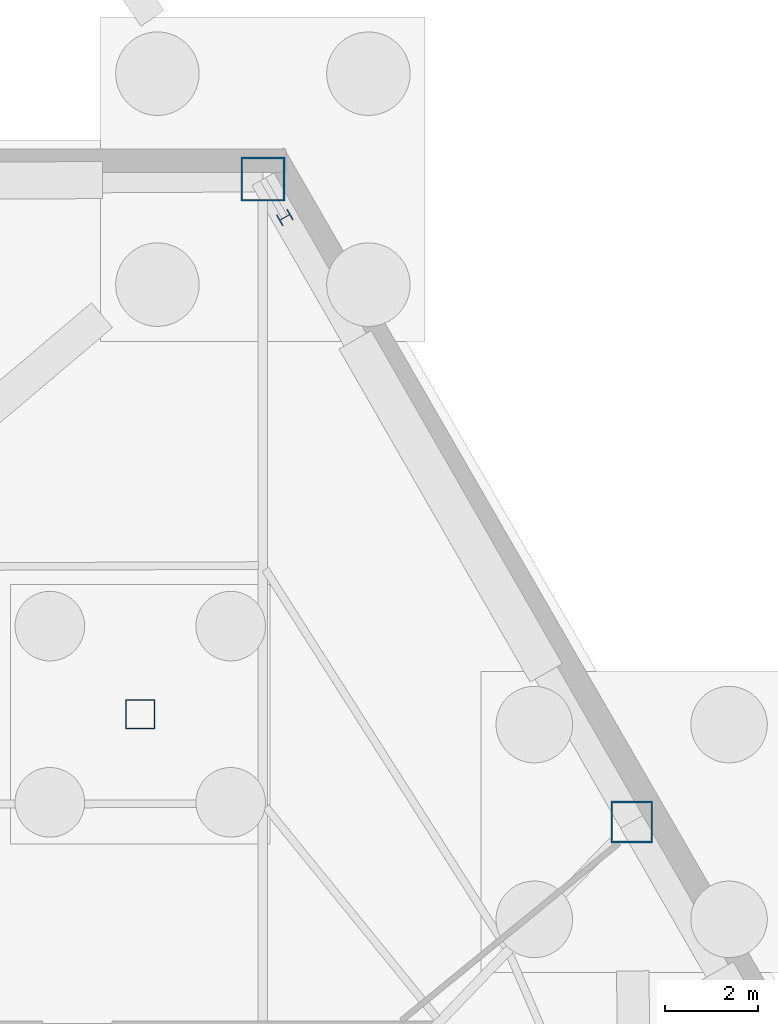
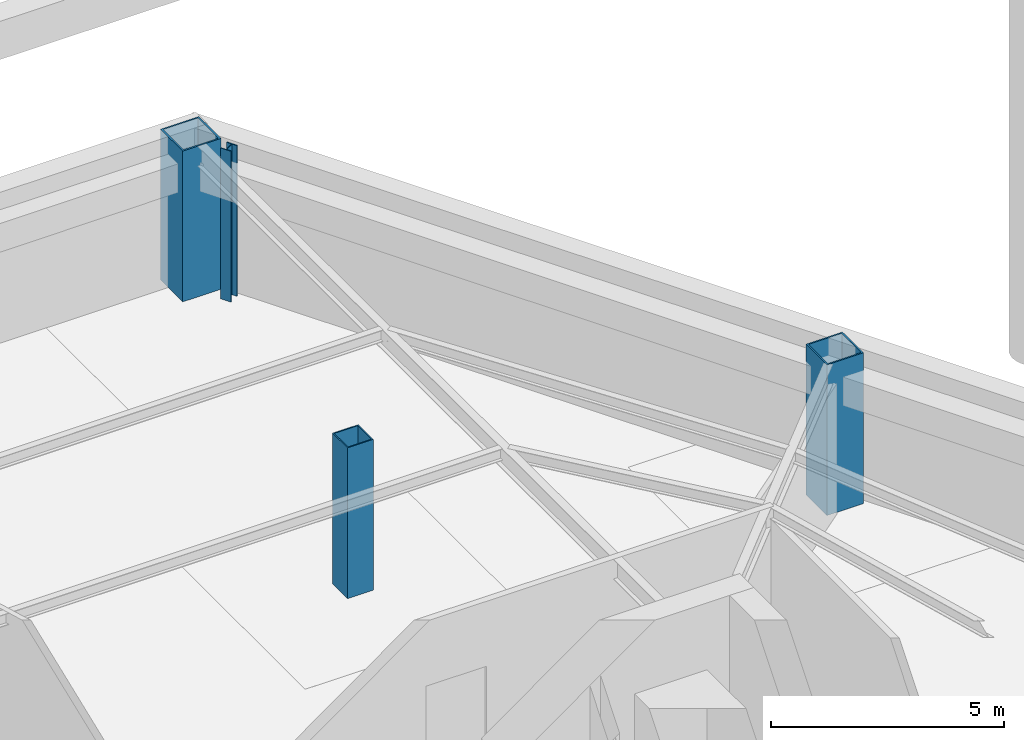
# One storey, part 6 of 11: 4 columns.
"""IFC4 building model written with IfcOpenShell, lengths in metres."""

from ifc_helpers import new_model, si_unit, direction, frame, origin, origin_2d, place, context, subcontext, project, spatial, hollow_rectangle, i_section, extrude, material, material_profile, profile_set, type_object, element, save


model = new_model("IFC4")

# Units and contexts
model_context = context("Model", 3, precision=1e-05, world=origin(), true_north=direction((0.0, 1.0)))
body_context = subcontext(model_context, "Body", "Model", "MODEL_VIEW")
ifc_project = project(units=[si_unit("LENGTHUNIT", "METRE"), si_unit("AREAUNIT", "SQUARE_METRE"), si_unit("VOLUMEUNIT", "CUBIC_METRE"), si_unit("PLANEANGLEUNIT", "RADIAN"), si_unit("MASSUNIT", "GRAM", prefix="KILO")], contexts=[model_context])

# Site, building, storey
site_placement = place(None, origin())
site = spatial("IfcSite", under=ifc_project, at=site_placement, CompositionType="ELEMENT")
building_placement = place(site_placement, origin())
building = spatial("IfcBuilding", under=site, at=building_placement, Name="Kavelnor Concourse Tower", CompositionType="ELEMENT")
storey_placement = place(building_placement, frame((0.0, 0.0, -8.39990234375)))
storey = spatial("IfcBuildingStorey", under=building, at=storey_placement, Name="B02", CompositionType="ELEMENT", Elevation=-8.39990234375)

# Columns
ifc_material = material(Name="Steel Grade 350", Category="steel")
ifc_material_profile_1 = material_profile(ifc_material, hollow_rectangle(XDim=0.89990234375, YDim=0.89990234375, WallThickness=0.0380859375, at=origin_2d()), Name="SHS 900x900x38")
ifc_profile_set_1 = profile_set([ifc_material_profile_1], Name="Steel Grade 350")
column_type_1 = type_object("IfcColumnType", Name="COL-MEGA-900", PredefinedType="COLUMN", material=ifc_profile_set_1)
column_1_placement = place(storey_placement, frame((54.097900390625, 29.475830078125, 0.0), z_axis=(0.0, 0.0, 1.0), x_axis=(1.0, 0.0, 0.0)))
element("IfcColumn", 1, at=column_1_placement, inside=storey, type_object=column_type_1, Name="B02 Perimeter Mega Column MC-F2", PredefinedType="COLUMN", context=body_context, shape_type="SweptSolid", body=[
    extrude(hollow_rectangle(XDim=0.89990234375, YDim=0.89990234375, WallThickness=0.0380859375, at=origin_2d()), origin(), (0.0, 0.0, 1.0), 3.949951171875),
])
ifc_material_profile_2 = material_profile(ifc_material, hollow_rectangle(XDim=0.949951171875, YDim=0.949951171875, WallThickness=0.0400390625, at=origin_2d()), Name="SHS 950x950x40")
ifc_profile_set_2 = profile_set([ifc_material_profile_2], Name="Steel Grade 350")
column_type_2 = type_object("IfcColumnType", Name="COL-MEGA-950", PredefinedType="COLUMN", material=ifc_profile_set_2)
column_2_placement = place(storey_placement, frame((46.144775390625, 43.338623046875, 0.0), z_axis=(0.0, 0.0, 1.0), x_axis=(1.0, 0.0, 0.0)))
element("IfcColumn", 2, at=column_2_placement, inside=storey, type_object=column_type_2, Name="B02 Perimeter Mega Column MC-V0", PredefinedType="COLUMN", context=body_context, shape_type="SweptSolid", body=[
    extrude(hollow_rectangle(XDim=0.949951171875, YDim=0.949951171875, WallThickness=0.0400390625, at=origin_2d()), origin(), (0.0, 0.0, 1.0), 3.949951171875),
])
ifc_material_profile_3 = material_profile(ifc_material, i_section(OverallWidth=0.260986328125, OverallDepth=0.27587890625, WebThickness=0.015380859375, FlangeThickness=0.025390625, at=origin_2d()), Name="UC 254x254x132")
ifc_profile_set_3 = profile_set([ifc_material_profile_3], Name="Steel Grade 350")
column_type_3 = type_object("IfcColumnType", Name="COL-PILASTER-250", PredefinedType="PILASTER", material=ifc_profile_set_3)
column_3_placement = place(storey_placement, frame((46.617431640625, 42.5146484375, 0.0), z_axis=(0.0, 0.0, 1.0), x_axis=(-0.497579654441, 0.867418288651, 0.0)))
element("IfcColumn", 3, at=column_3_placement, inside=storey, type_object=column_type_3, Name="B02 Brick Pier Stiffener Pilaster F2-B", PredefinedType="PILASTER", context=body_context, shape_type="SweptSolid", body=[
    extrude(i_section(OverallWidth=0.260986328125, OverallDepth=0.27587890625, WebThickness=0.015380859375, FlangeThickness=0.025390625, at=origin_2d()), origin(), (0.0, 0.0, 1.0), 3.949951171875),
])
ifc_material_profile_4 = material_profile(ifc_material, hollow_rectangle(XDim=0.639892578125, YDim=0.639892578125, WallThickness=0.028076171875, at=origin_2d()), Name="SHS 640x640x28")
ifc_profile_set_4 = profile_set([ifc_material_profile_4], Name="Steel Grade 350")
column_type_4 = type_object("IfcColumnType", Name="COL-TUBE-Z3", PredefinedType="COLUMN", material=ifc_profile_set_4)
column_4_placement = place(storey_placement, frame((43.5, 31.800048828125, 0.0), z_axis=(0.0, 0.0, 1.0), x_axis=(1.0, 0.0, 0.0)))
element("IfcColumn", 4, at=column_4_placement, inside=storey, type_object=column_type_4, Name="B02 Interior Column BC-NE", PredefinedType="COLUMN", context=body_context, shape_type="SweptSolid", body=[
    extrude(hollow_rectangle(XDim=0.639892578125, YDim=0.639892578125, WallThickness=0.028076171875, at=origin_2d()), origin(), (0.0, 0.0, 1.0), 3.949951171875),
])

save(model, "model.ifc")
